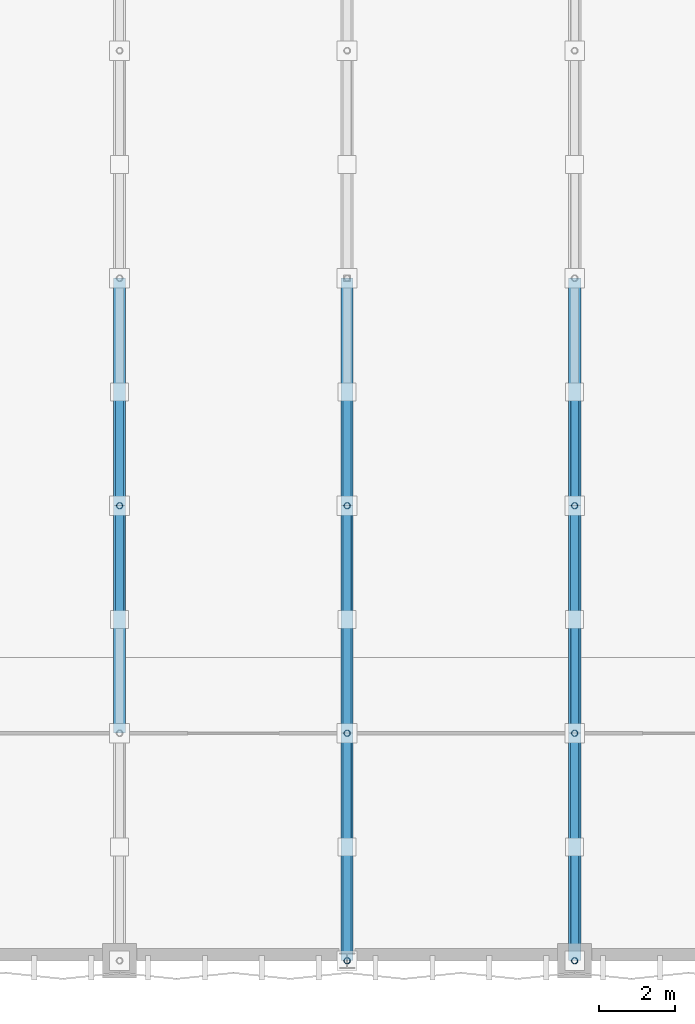
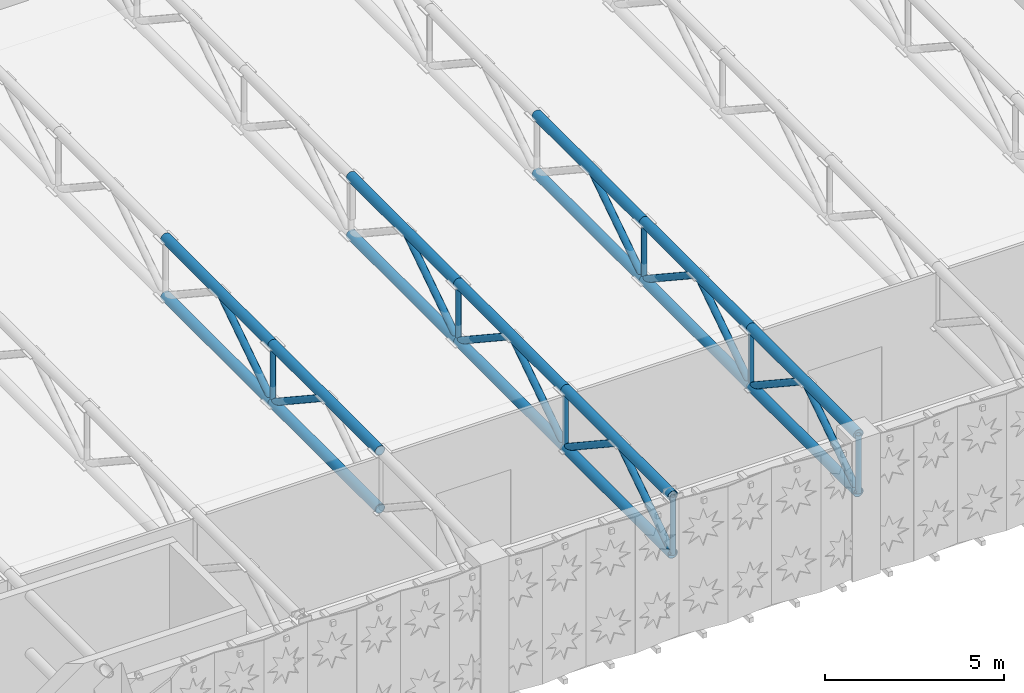
# One storey, part 24 of 123: 35 members.
"""IFC4 building model written with IfcOpenShell, lengths in metres."""

from ifc_helpers import new_model, si_unit, direction, frame, origin, origin_2d, place, context, subcontext, project, spatial, hollow_circle, extrude, material, material_profile, profile_set, type_object, element, save


model = new_model("IFC4")

# Units and contexts
model_context = context("Model", 3, precision=1e-05, world=origin(), true_north=direction((0.0, 1.0)))
body_context = subcontext(model_context, "Body", "Model", "MODEL_VIEW")
ifc_project = project(units=[si_unit("LENGTHUNIT", "METRE"), si_unit("AREAUNIT", "SQUARE_METRE"), si_unit("VOLUMEUNIT", "CUBIC_METRE"), si_unit("PLANEANGLEUNIT", "RADIAN"), si_unit("MASSUNIT", "GRAM", prefix="KILO"), si_unit("THERMODYNAMICTEMPERATUREUNIT", "KELVIN"), si_unit("POWERUNIT", "WATT")], contexts=[model_context])

# Site, building, storey
site_placement = place(None, origin())
site = spatial("IfcSite", under=ifc_project, at=site_placement, CompositionType="ELEMENT")
building_placement = place(site_placement, origin())
building = spatial("IfcBuilding", under=site, at=building_placement, Name="Phaisarnlok Congress Hotel", CompositionType="ELEMENT")
storey_placement = place(building_placement, frame((0.0, 0.0, 15.0)))
storey = spatial("IfcBuildingStorey", under=building, at=storey_placement, Name="L03", CompositionType="ELEMENT", Elevation=15.0)

# Members
ifc_material = material(Name="Steel S355", Category="steel")
ifc_material_profile_1 = material_profile(ifc_material, hollow_circle(Radius=0.084228515625, WallThickness=0.010009765625, at=origin_2d()), Name="CHS 168.3x10")
ifc_profile_set_1 = profile_set([ifc_material_profile_1], Name="Steel S355")
member_type_1 = type_object("IfcMemberType", Name="MEM-BRC-CHS168", PredefinedType="BRACE", material=ifc_profile_set_1)
for number, where, z_axis, x_axis, name in (
    (1, (114.0, 12.0, 2.64990234375), (0.0, 0.0, 1.0), (1.0, 0.0, 0.0), "Ballroom truss vertical web TB-01"),
    (2, (120.0, 0.0, 2.64990234375), (0.0, 0.0, 1.0), (1.0, 0.0, 0.0), "Ballroom truss vertical web TB-01"),
    (3, (120.0, 6.0, 2.64990234375), (0.0, 0.0, 1.0), (1.0, 0.0, 0.0), "Ballroom truss vertical web TB-01"),
    (4, (120.0, 12.0, 2.64990234375), (0.0, 0.0, 1.0), (1.0, 0.0, 0.0), "Ballroom truss vertical web TB-01"),
    (5, (126.0, 0.0, 2.64990234375), (0.0, 0.0, 1.0), (1.0, 0.0, 0.0), "Ballroom truss vertical web TB-01"),
    (6, (126.0, 6.0, 2.64990234375), (0.0, 0.0, 1.0), (1.0, 0.0, 0.0), "Ballroom truss vertical web TB-01"),
    (7, (126.0, 12.0, 2.64990234375), (0.0, 0.0, 1.0), (1.0, 0.0, 0.0), "Ballroom truss vertical web TB-01"),
):
    element("IfcMember", number, at=place(storey_placement, frame(where, z_axis=z_axis, x_axis=x_axis)), inside=storey, type_object=member_type_1, Name=name, PredefinedType="BRACE", context=body_context, shape_type="SweptSolid", body=[
        extrude(hollow_circle(Radius=0.084228515625, WallThickness=0.010009765625, at=origin_2d()), origin(), (0.0, 0.0, 1.0), 1.97998046875),
    ])
ifc_material_profile_2 = material_profile(ifc_material, hollow_circle(Radius=0.109619140625, WallThickness=0.012451171875, at=origin_2d()), Name="CHS 219.1x12.5")
ifc_profile_set_2 = profile_set([ifc_material_profile_2], Name="Steel S355")
member_type_2 = type_object("IfcMemberType", Name="MEM-BRC-CHS219", PredefinedType="BRACE", material=ifc_profile_set_2)
for number, where, z_axis, x_axis, name in (
    (8, (114.0, 12.0, 2.64990234375), (0.0, -0.834611904619, 0.550838423377), (1.0, 0.0, 0.0), "Ballroom truss diagonal web TB-02"),
    (9, (114.0, 12.0, 2.64990234375), (0.0, 0.834611904619, 0.550838423377), (-1.0, 0.0, 0.0), "Ballroom truss diagonal web TB-02"),
    (10, (120.0, 0.0, 2.64990234375), (0.0, 0.834611904619, 0.550838423377), (-1.0, 0.0, 0.0), "Ballroom truss diagonal web TB-02"),
    (11, (120.0, 6.0, 2.64990234375), (0.0, -0.834611904619, 0.550838423377), (1.0, 0.0, 0.0), "Ballroom truss diagonal web TB-02"),
    (12, (120.0, 6.0, 2.64990234375), (0.0, 0.834611904619, 0.550838423377), (-1.0, 0.0, 0.0), "Ballroom truss diagonal web TB-02"),
    (13, (120.0, 12.0, 2.64990234375), (0.0, -0.834611904619, 0.550838423377), (1.0, 0.0, 0.0), "Ballroom truss diagonal web TB-02"),
    (14, (120.0, 12.0, 2.64990234375), (0.0, 0.834611904619, 0.550838423377), (-1.0, 0.0, 0.0), "Ballroom truss diagonal web TB-02"),
    (15, (126.0, 0.0, 2.64990234375), (0.0, 0.834611904619, 0.550838423377), (-1.0, 0.0, 0.0), "Ballroom truss diagonal web TB-02"),
    (16, (126.0, 6.0, 2.64990234375), (0.0, -0.834611904619, 0.550838423377), (1.0, 0.0, 0.0), "Ballroom truss diagonal web TB-02"),
    (17, (126.0, 6.0, 2.64990234375), (0.0, 0.834611904619, 0.550838423377), (-1.0, 0.0, 0.0), "Ballroom truss diagonal web TB-02"),
    (18, (126.0, 12.0, 2.64990234375), (0.0, -0.834611904619, 0.550838423377), (1.0, 0.0, 0.0), "Ballroom truss diagonal web TB-02"),
    (19, (126.0, 12.0, 2.64990234375), (0.0, 0.834611904619, 0.550838423377), (-1.0, 0.0, 0.0), "Ballroom truss diagonal web TB-02"),
):
    element("IfcMember", number, at=place(storey_placement, frame(where, z_axis=z_axis, x_axis=x_axis)), inside=storey, type_object=member_type_2, Name=name, PredefinedType="BRACE", context=body_context, shape_type="SweptSolid", body=[
        extrude(hollow_circle(Radius=0.109619140625, WallThickness=0.012451171875, at=origin_2d()), origin(), (0.0, 0.0, 1.0), 3.594482421875),
    ])
ifc_material_profile_3 = material_profile(ifc_material, hollow_circle(Radius=0.161865234375, WallThickness=0.01611328125, at=origin_2d()), Name="CHS 323.9x16")
ifc_profile_set_3 = profile_set([ifc_material_profile_3], Name="Steel S355")
member_type_3 = type_object("IfcMemberType", Name="MEM-CHD-CHS324", PredefinedType="CHORD", material=ifc_profile_set_3)
for number, where, z_axis, x_axis, name in (
    (20, (114.0, 6.0, 4.6298828125), (0.0, 1.0, 0.0), (-1.0, 0.0, 0.0), "Ballroom truss top chord TC-02"),
    (21, (114.0, 6.0, 2.64990234375), (0.0, 1.0, 0.0), (-1.0, 0.0, 0.0), "Ballroom truss bottom chord TC-02"),
    (22, (114.0, 12.0, 4.6298828125), (0.0, 1.0, 0.0), (-1.0, 0.0, 0.0), "Ballroom truss top chord TC-02"),
    (23, (114.0, 12.0, 2.64990234375), (0.0, 1.0, 0.0), (-1.0, 0.0, 0.0), "Ballroom truss bottom chord TC-02"),
    (24, (120.0, 0.0, 4.6298828125), (0.0, 1.0, 0.0), (-1.0, 0.0, 0.0), "Ballroom truss top chord TC-02"),
    (25, (120.0, 0.0, 2.64990234375), (0.0, 1.0, 0.0), (-1.0, 0.0, 0.0), "Ballroom truss bottom chord TC-02"),
    (26, (120.0, 6.0, 4.6298828125), (0.0, 1.0, 0.0), (-1.0, 0.0, 0.0), "Ballroom truss top chord TC-02"),
    (27, (120.0, 6.0, 2.64990234375), (0.0, 1.0, 0.0), (-1.0, 0.0, 0.0), "Ballroom truss bottom chord TC-02"),
    (28, (120.0, 12.0, 4.6298828125), (0.0, 1.0, 0.0), (-1.0, 0.0, 0.0), "Ballroom truss top chord TC-02"),
    (29, (120.0, 12.0, 2.64990234375), (0.0, 1.0, 0.0), (-1.0, 0.0, 0.0), "Ballroom truss bottom chord TC-02"),
    (30, (126.0, 0.0, 4.6298828125), (0.0, 1.0, 0.0), (-1.0, 0.0, 0.0), "Ballroom truss top chord TC-02"),
    (31, (126.0, 0.0, 2.64990234375), (0.0, 1.0, 0.0), (-1.0, 0.0, 0.0), "Ballroom truss bottom chord TC-02"),
    (32, (126.0, 6.0, 4.6298828125), (0.0, 1.0, 0.0), (-1.0, 0.0, 0.0), "Ballroom truss top chord TC-02"),
    (33, (126.0, 6.0, 2.64990234375), (0.0, 1.0, 0.0), (-1.0, 0.0, 0.0), "Ballroom truss bottom chord TC-02"),
    (34, (126.0, 12.0, 4.6298828125), (0.0, 1.0, 0.0), (-1.0, 0.0, 0.0), "Ballroom truss top chord TC-02"),
    (35, (126.0, 12.0, 2.64990234375), (0.0, 1.0, 0.0), (-1.0, 0.0, 0.0), "Ballroom truss bottom chord TC-02"),
):
    element("IfcMember", number, at=place(storey_placement, frame(where, z_axis=z_axis, x_axis=x_axis)), inside=storey, type_object=member_type_3, Name=name, PredefinedType="CHORD", context=body_context, shape_type="SweptSolid", body=[
        extrude(hollow_circle(Radius=0.161865234375, WallThickness=0.01611328125, at=origin_2d()), origin(), (0.0, 0.0, 1.0), 6.0),
    ])

save(model, "model.ifc")
